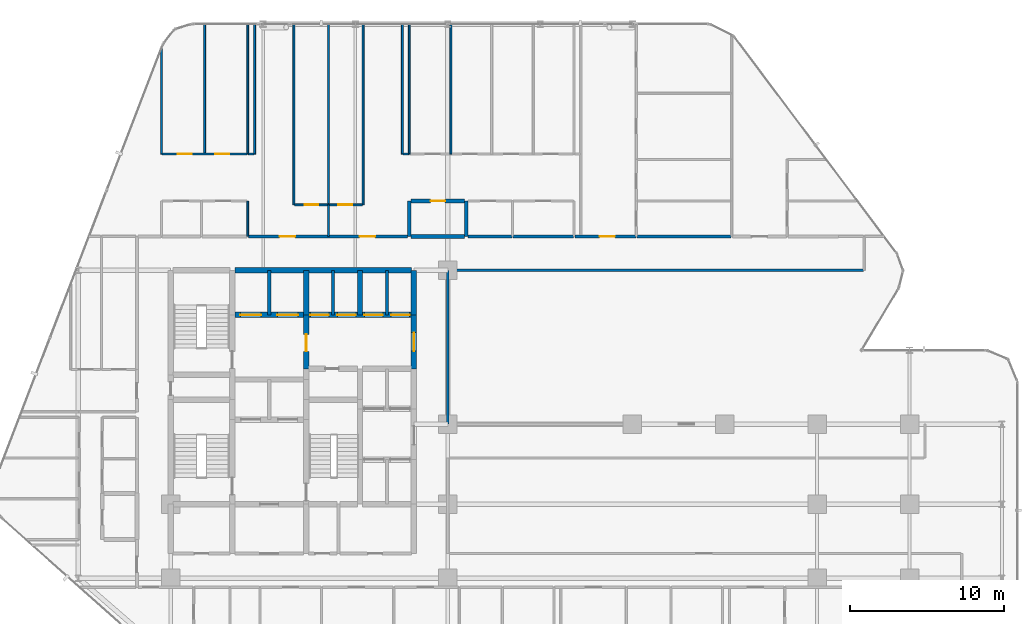
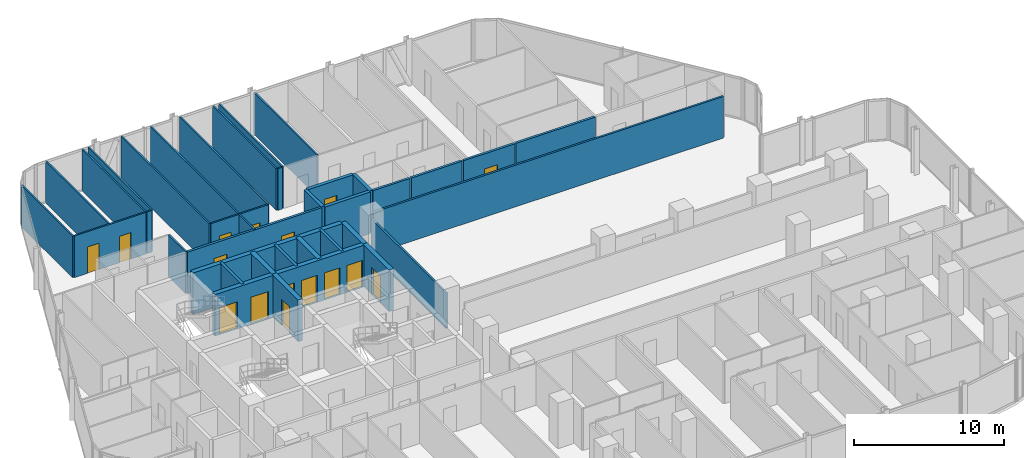
# One storey, part 30 of 34: 37 walls, 16 doors, 16 openings.
"""IFC4 building model written with IfcOpenShell, lengths in metres."""

import ifcopenshell
import ifcopenshell.guid

model = None  # the IFC model being written
_history = None  # IfcOwnerHistory: only IFC2X3 demands one
_inside = {}  # id of a spatial element -> (the spatial element, [elements in it])
_under = {}  # id of a project, library or spatial element -> (it, [spatial elements below it])
_declared = {}  # id of a project -> (the project, [libraries it declares])
_typed = {}  # id of a type object -> (the type object, [elements of that type])
_made_of = {}  # id of a material, layer set ... -> (it, [elements and type objects made of it])


def new_model(schema):
    """Start an empty IFC model of exactly this schema.

    Asked for "IFC4X3", IfcOpenShell would pick the latest addendum, in which some entities
    have other attributes; the version numbers below select the first issue.
    IFC2X3 requires an IfcOwnerHistory on every rooted entity: one is made here for all.
    """
    global model, _history
    if schema == "IFC4X3":
        model = ifcopenshell.file(schema_version=(4, 3, 0, 0))
    else:
        model = ifcopenshell.file(schema=schema)
    _inside.clear()
    _under.clear()
    _declared.clear()
    _typed.clear()
    _made_of.clear()
    _history = None
    if model.schema == "IFC2X3":
        org = make("IfcOrganization", Name="unknown")
        user = make(
            "IfcPersonAndOrganization",
            ThePerson=make("IfcPerson", FamilyName="unknown"),
            TheOrganization=org,
        )
        app = make(
            "IfcApplication",
            ApplicationDeveloper=org,
            Version="unknown",
            ApplicationFullName="unknown",
            ApplicationIdentifier="unknown",
        )
        _history = make(
            "IfcOwnerHistory",
            OwningUser=user,
            OwningApplication=app,
            ChangeAction="ADDED",
            CreationDate=0,
        )
    return model


def make(cls, **values):
    """One entity of the class cls with the attributes given. An attribute that is None is left unset."""
    return model.create_entity(
        cls, **{name: value for name, value in values.items() if value is not None}
    )


def rooted(cls, **values):
    """An entity with a GlobalId (a new one), such as an element, a storey or a relation."""
    return make(cls, GlobalId=ifcopenshell.guid.new(), OwnerHistory=_history, **values)


def si_unit(unit_type, name, prefix=None):
    """IfcSIUnit, for example si_unit("LENGTHUNIT", "METRE", prefix="MILLI")."""
    return make("IfcSIUnit", UnitType=unit_type, Prefix=prefix, Name=name)


def assignment(units):
    """IfcUnitAssignment: the units of a project."""
    return None if units is None else make("IfcUnitAssignment", Units=units)


def point(xyz):
    """IfcCartesianPoint."""
    return None if xyz is None else make("IfcCartesianPoint", Coordinates=xyz)


def direction(xyz):
    """IfcDirection."""
    return None if xyz is None else make("IfcDirection", DirectionRatios=xyz)


def frame(location, z_axis=None, x_axis=None):
    """IfcAxis2Placement3D, a coordinate frame: its origin and axes. An axis left out is left unset."""
    return make(
        "IfcAxis2Placement3D",
        Location=point(location),
        Axis=direction(z_axis),
        RefDirection=direction(x_axis),
    )


def frame_2d(location, x_axis=None):
    """IfcAxis2Placement2D, a coordinate frame in the plane: its origin and x axis."""
    return make(
        "IfcAxis2Placement2D", Location=point(location), RefDirection=direction(x_axis)
    )


def origin():
    """The frame at (0, 0, 0) with its axes left unset."""
    return frame((0.0, 0.0, 0.0))


def place(relative_to, where):
    """IfcLocalPlacement: puts the frame where relative to a parent placement (None: the world)."""
    return make(
        "IfcLocalPlacement", PlacementRelTo=relative_to, RelativePlacement=where
    )


def context(
    kind, dimensions, precision=None, world=None, true_north=None, identifier=None
):
    """IfcGeometricRepresentationContext, for example the 3D "Model" context."""
    return make(
        "IfcGeometricRepresentationContext",
        ContextIdentifier=identifier,
        ContextType=kind,
        CoordinateSpaceDimension=dimensions,
        Precision=precision,
        WorldCoordinateSystem=world,
        TrueNorth=true_north,
    )


def subcontext(parent, identifier, kind, view, scale=None):
    """IfcGeometricRepresentationSubContext, for example "Body" below "Model"."""
    return make(
        "IfcGeometricRepresentationSubContext",
        ContextIdentifier=identifier,
        ContextType=kind,
        ParentContext=parent,
        TargetScale=scale,
        TargetView=view,
    )


def project(units=None, contexts=None):
    """IfcProject with its units and contexts."""
    return rooted(
        "IfcProject",
        Name="project",
        RepresentationContexts=contexts,
        UnitsInContext=assignment(units),
    )


def spatial(cls, under=None, at=None, **own):
    """A site, building, storey or space (cls), placed at a placement, below another one or the project."""
    s = rooted(cls, ObjectPlacement=at, **own)
    if under is not None:
        _under.setdefault(under.id(), (under, []))[1].append(s)
    return s


def profile(cls, at=None, kind="AREA", **sizes):
    """A parametric profile (cls). Its sizes go by their IFC names, for example OverallWidth=200.0."""
    return make(cls, ProfileType=kind, Position=at, **sizes)


def rectangle(**sizes):
    """IfcRectangleProfileDef."""
    return profile("IfcRectangleProfileDef", **sizes)


def extrude(swept, where, along, depth):
    """IfcExtrudedAreaSolid: the profile swept, set in the frame where, extruded along a direction by depth."""
    return make(
        "IfcExtrudedAreaSolid",
        SweptArea=swept,
        Position=where,
        ExtrudedDirection=direction(along),
        Depth=depth,
    )


def shape(context_of_items, identifier, shape_type, items):
    """IfcShapeRepresentation: the items that make up one representation, for example the "Body"."""
    return make(
        "IfcShapeRepresentation",
        ContextOfItems=context_of_items,
        RepresentationIdentifier=identifier,
        RepresentationType=shape_type,
        Items=items,
    )


def material(Name=None, Category=None):
    """IfcMaterial."""
    return make("IfcMaterial", Name=Name, Category=Category)


def layer(
    of_material, thickness, ventilated=None, Name=None, Category=None, Priority=None
):
    """IfcMaterialLayer: one layer of a wall or slab, of a material (None: an air gap)."""
    return make(
        "IfcMaterialLayer",
        Material=of_material,
        LayerThickness=thickness,
        IsVentilated=ventilated,
        Name=Name,
        Category=Category,
        Priority=Priority,
    )


def layer_set(layers, Name=None):
    """IfcMaterialLayerSet."""
    return make("IfcMaterialLayerSet", MaterialLayers=layers, LayerSetName=Name)


def made_of(thing, what):
    """Note that an element or type object is made of a material, layer set ...; save() writes the relation."""
    if what is not None:
        _made_of.setdefault(what.id(), (what, []))[1].append(thing)
    return thing


def type_object(cls, material=None, **own):
    """A type object (cls), such as IfcWallType, which elements share."""
    return made_of(rooted(cls, **own), material)


def element(
    cls,
    number,
    at=None,
    inside=None,
    cuts=None,
    type_object=None,
    material=None,
    context=None,
    identifier="Body",
    shape_type=None,
    held_by="IfcProductDefinitionShape",
    body=None,
    shapes=None,
    **own,
):
    """One element of the class cls, such as IfcWall. Its Tag is "e" and its number.

    at: its placement. inside: the storey or other place that contains it. cuts: it is an
    opening in that element (IfcRelVoidsElement). A single representation is given by context,
    identifier, shape_type and body (its items); several are given by shapes. held_by: the class
    of the entity that holds the representations. save() writes the other relations.
    """
    e = rooted(cls, Tag="e%d" % number, ObjectPlacement=at, **own)
    if body is not None:
        shapes = [shape(context, identifier, shape_type, body)]
    if shapes is not None:
        e.Representation = make(held_by, Representations=shapes)
    if inside is not None:
        _inside.setdefault(inside.id(), (inside, []))[1].append(e)
    if cuts is not None:
        rooted(
            "IfcRelVoidsElement", RelatingBuildingElement=cuts, RelatedOpeningElement=e
        )
    if type_object is not None:
        _typed.setdefault(type_object.id(), (type_object, []))[1].append(e)
    return made_of(e, material)


def fill(opening, filler):
    """IfcRelFillsElement: the door or window that sits in an opening."""
    return rooted(
        "IfcRelFillsElement",
        RelatingOpeningElement=opening,
        RelatedBuildingElement=filler,
    )


def aggregate(whole, parts):
    """IfcRelAggregates: a whole, such as a stair, and the parts it consists of."""
    return rooted("IfcRelAggregates", RelatingObject=whole, RelatedObjects=parts)


def save(model, path):
    """Write the relations noted so far, then the file.

    IfcRelAggregates (storeys below a building ...), IfcRelContainedInSpatialStructure (elements
    in a storey), IfcRelDefinesByType, IfcRelAssociatesMaterial and IfcRelDeclares: one each for
    every whole, place, type object, material and project.
    """
    for whole, parts in _under.values():
        aggregate(whole, parts)
    for where, things in _inside.values():
        rooted(
            "IfcRelContainedInSpatialStructure",
            RelatedElements=things,
            RelatingStructure=where,
        )
    for kind, things in _typed.values():
        rooted("IfcRelDefinesByType", RelatedObjects=things, RelatingType=kind)
    for what, things in _made_of.values():
        rooted("IfcRelAssociatesMaterial", RelatedObjects=things, RelatingMaterial=what)
    for by, libraries in _declared.values():
        rooted("IfcRelDeclares", RelatingContext=by, RelatedDefinitions=libraries)
    model.write(path)


model = new_model("IFC4")

# Units and contexts
model_context = context("Model", 3, precision=1e-05, world=origin(), true_north=direction((0.0, 1.0)))
body_context = subcontext(model_context, "Body", "Model", "MODEL_VIEW")
ifc_project = project(units=[si_unit("LENGTHUNIT", "METRE"), si_unit("AREAUNIT", "SQUARE_METRE"), si_unit("VOLUMEUNIT", "CUBIC_METRE"), si_unit("PLANEANGLEUNIT", "RADIAN"), si_unit("MASSUNIT", "GRAM", prefix="KILO")], contexts=[model_context])

# Site, building, storey
site_placement = place(None, origin())
site = spatial("IfcSite", under=ifc_project, at=site_placement, CompositionType="ELEMENT")
building_placement = place(site_placement, origin())
building = spatial("IfcBuilding", under=site, at=building_placement, Name="Keshet Zoharim Tower", CompositionType="ELEMENT")
storey_placement = place(building_placement, frame((0.0, 0.0, 70.10009765625)))
storey = spatial("IfcBuildingStorey", under=building, at=storey_placement, Name="L16", CompositionType="ELEMENT", Elevation=70.10009765625)

# Walls
ifc_material_1 = material(Name="Gypsum Plasterboard", Category="gypsum")
ifc_layer_1 = layer(ifc_material_1, 0.14990234375)
ifc_layer_set_1 = layer_set([ifc_layer_1], Name="Gypsum Plasterboard")
wall_type_1 = type_object("IfcWallType", Name="WL-CLIN-150", PredefinedType="STANDARD", material=ifc_layer_set_1)
wall_1_placement = place(storey_placement, frame((33.0, 27.909912109375, 0.0), z_axis=(0.0, 0.0, 1.0), x_axis=(0.0, 1.0, 0.0)))
element("IfcWall", 1, at=wall_1_placement, inside=storey, type_object=wall_type_1, Name="L16 Interior Wall 069", PredefinedType="STANDARD", context=body_context, shape_type="SweptSolid", body=[
    extrude(rectangle(XDim=9.97998046875, YDim=0.14990234375, at=frame_2d((4.989990234375, 0.0))), origin(), (0.0, 0.0, 1.0), 2.885009765625),
])
wall_2_placement = place(storey_placement, frame((33.070068359375, 37.89990234375, 0.0), z_axis=(0.0, 0.0, 1.0), x_axis=(1.0, 0.0, 0.0)))
element("IfcWall", 2, at=wall_2_placement, inside=storey, type_object=wall_type_1, Name="L16 Interior Wall 187", PredefinedType="STANDARD", context=body_context, shape_type="SweptSolid", body=[
    extrude(rectangle(XDim=26.934814453125, YDim=0.14990234375, at=frame_2d((13.46728515625, 0.0))), origin(), (0.0, 0.0, 1.0), 3.385009765625),
])

# Wall, opening, door
ifc_material_2 = material(Name="Concrete C60/75", Category="concrete")
ifc_layer_2 = layer(ifc_material_2, 0.35009765625)
ifc_layer_set_2 = layer_set([ifc_layer_2], Name="Concrete C60/75")
wall_type_2 = type_object("IfcWallType", Name="WL-CORE-350", PredefinedType="SHEAR", material=ifc_layer_set_2)
wall_3_placement = place(storey_placement, frame((23.800048828125, 31.5, 0.0), z_axis=(0.0, 0.0, 1.0), x_axis=(0.0, 1.0, 0.0)))
wall_3 = element("IfcWall", 3, at=wall_3_placement, inside=storey, type_object=wall_type_2, Name="L16 Core Shear Wall 042", PredefinedType="SHEAR", context=body_context, shape_type="SweptSolid", body=[
    extrude(rectangle(XDim=3.5, YDim=0.35009765625, at=frame_2d((1.75, 0.0))), origin(), (0.0, 0.0, 1.0), 3.385009765625),
])
opening_1_placement = place(wall_3_placement, frame((1.126953125, 0.0, 0.0)))
opening_1 = element("IfcOpeningElement", 4, at=opening_1_placement, cuts=wall_3, Name="Opening D-F611", PredefinedType="OPENING", context=body_context, shape_type="SweptSolid", body=[
    extrude(rectangle(XDim=1.10009765625, YDim=2.14990234375, at=frame_2d((0.550048828125, 1.074951171875))), frame((0.0, 0.18505859375, 0.0), z_axis=(0.0, -1.0, 0.0), x_axis=(1.0, 0.0, 0.0)), (0.0, 0.0, 1.0), 0.3701171875),
])
ifc_material_3 = material(Name="Hardwood Timber", Category="wood")
door_type_1 = type_object("IfcDoorType", Name="DR-FD60-110", OperationType="NOTDEFINED", PredefinedType="DOOR", material=ifc_material_3)
door_1_placement = place(opening_1_placement, origin())
door_1 = element("IfcDoor", 5, at=door_1_placement, inside=storey, type_object=door_type_1, Name="L16 Firefighting Lobby Fire Door", OperationType="SINGLE_SWING_LEFT", OverallHeight=2.14990234375, OverallWidth=1.10009765625, PredefinedType="DOOR", context=body_context, shape_type="SweptSolid", body=[
    extrude(rectangle(XDim=1.10009765625, YDim=2.14990234375, at=frame_2d((0.550048828125, 1.074951171875))), frame((0.0, 0.02490234375, 0.0), z_axis=(0.0, -1.0, 0.0), x_axis=(1.0, 0.0, 0.0)), (0.0, 0.0, 1.0), 0.050048828125),
])
fill(opening_1, door_1)

# Walls
for number, where, z_axis, x_axis, name in (
    (6, (23.800048828125, 35.0, 0.0), (0.0, 0.0, 1.0), (0.0, 1.0, 0.0), "L16 Core Shear Wall 043"),
    (7, (27.300048828125, 35.0, 0.0), (0.0, 0.0, 1.0), (0.0, 1.0, 0.0), "L16 Core Shear Wall 053"),
):
    element("IfcWall", number, at=place(storey_placement, frame(where, z_axis=z_axis, x_axis=x_axis)), inside=storey, type_object=wall_type_2, Name=name, PredefinedType="SHEAR", context=body_context, shape_type="SweptSolid", body=[
        extrude(rectangle(XDim=2.89990234375, YDim=0.35009765625, at=frame_2d((1.449951171875, 0.0))), origin(), (0.0, 0.0, 1.0), 3.385009765625),
    ])

# Wall, opening, door
wall_4_placement = place(storey_placement, frame((30.800048828125, 31.5, 0.0), z_axis=(0.0, 0.0, 1.0), x_axis=(0.0, 1.0, 0.0)))
wall_4 = element("IfcWall", 8, at=wall_4_placement, inside=storey, type_object=wall_type_2, Name="L16 Core Shear Wall 066", PredefinedType="SHEAR", context=body_context, shape_type="SweptSolid", body=[
    extrude(rectangle(XDim=3.5, YDim=0.35009765625, at=frame_2d((1.75, 0.0))), origin(), (0.0, 0.0, 1.0), 3.385009765625),
])
opening_2_placement = place(wall_4_placement, frame((1.14990234375, 0.0, 0.0)))
opening_2 = element("IfcOpeningElement", 9, at=opening_2_placement, cuts=wall_4, Name="Opening D-F612", PredefinedType="OPENING", context=body_context, shape_type="SweptSolid", body=[
    extrude(rectangle(XDim=1.199951171875, YDim=2.199951171875, at=frame_2d((0.60009765625, 1.10009765625))), frame((0.0, 0.18505859375, 0.0), z_axis=(0.0, -1.0, 0.0), x_axis=(1.0, 0.0, 0.0)), (0.0, 0.0, 1.0), 0.3701171875),
])
door_type_2 = type_object("IfcDoorType", Name="DR-FD60-120", OperationType="NOTDEFINED", PredefinedType="DOOR", material=ifc_material_3)
door_2_placement = place(opening_2_placement, origin())
door_2 = element("IfcDoor", 10, at=door_2_placement, inside=storey, type_object=door_type_2, Name="L16 North Lift Lobby East Fire Door", OperationType="SINGLE_SWING_LEFT", OverallHeight=2.199951171875, OverallWidth=1.199951171875, PredefinedType="DOOR", context=body_context, shape_type="SweptSolid", body=[
    extrude(rectangle(XDim=1.199951171875, YDim=2.199951171875, at=frame_2d((0.60009765625, 1.10009765625))), frame((0.0, 0.02490234375, 0.0), z_axis=(0.0, -1.0, 0.0), x_axis=(1.0, 0.0, 0.0)), (0.0, 0.0, 1.0), 0.050048828125),
])
fill(opening_2, door_2)

# Wall
wall_5_placement = place(storey_placement, frame((30.800048828125, 35.0, 0.0), z_axis=(0.0, 0.0, 1.0), x_axis=(0.0, 1.0, 0.0)))
element("IfcWall", 11, at=wall_5_placement, inside=storey, type_object=wall_type_2, Name="L16 Core Shear Wall 067", PredefinedType="SHEAR", context=body_context, shape_type="SweptSolid", body=[
    extrude(rectangle(XDim=2.89990234375, YDim=0.35009765625, at=frame_2d((1.449951171875, 0.0))), origin(), (0.0, 0.0, 1.0), 3.385009765625),
])

# Wall, openings, doors
wall_6_placement = place(storey_placement, frame((19.159912109375, 35.0, 0.0), z_axis=(0.0, 0.0, 1.0), x_axis=(1.0, 0.0, 0.0)))
wall_6 = element("IfcWall", 12, at=wall_6_placement, inside=storey, type_object=wall_type_2, Name="L16 Core Shear Wall 184", PredefinedType="SHEAR", context=body_context, shape_type="SweptSolid", body=[
    extrude(rectangle(XDim=11.47998046875, YDim=0.35009765625, at=frame_2d((5.739990234375, 0.0))), origin(), (0.0, 0.0, 1.0), 3.385009765625),
])
opening_3_placement = place(wall_6_placement, frame((0.364990234375, 0.0, 0.0)))
opening_3 = element("IfcOpeningElement", 13, at=opening_3_placement, cuts=wall_6, Name="Opening LD-02", PredefinedType="OPENING", context=body_context, shape_type="SweptSolid", body=[
    extrude(rectangle(XDim=1.35009765625, YDim=2.199951171875, at=frame_2d((0.675048828125, 1.10009765625))), frame((0.0, 0.18505859375, 0.0), z_axis=(0.0, -1.0, 0.0), x_axis=(1.0, 0.0, 0.0)), (0.0, 0.0, 1.0), 0.3701171875),
])
opening_4_placement = place(wall_6_placement, frame((2.764892578125, 0.0, 0.0)))
opening_4 = element("IfcOpeningElement", 14, at=opening_4_placement, cuts=wall_6, Name="Opening LD-02", PredefinedType="OPENING", context=body_context, shape_type="SweptSolid", body=[
    extrude(rectangle(XDim=1.35009765625, YDim=2.199951171875, at=frame_2d((0.675048828125, 1.10009765625))), frame((0.0, 0.18505859375, 0.0), z_axis=(0.0, -1.0, 0.0), x_axis=(1.0, 0.0, 0.0)), (0.0, 0.0, 1.0), 0.3701171875),
])
opening_5_placement = place(wall_6_placement, frame((4.9150390625, 0.0, 0.0)))
opening_5 = element("IfcOpeningElement", 15, at=opening_5_placement, cuts=wall_6, Name="Opening LD-03", PredefinedType="OPENING", context=body_context, shape_type="SweptSolid", body=[
    extrude(rectangle(XDim=1.199951171875, YDim=2.199951171875, at=frame_2d((0.60009765625, 1.10009765625))), frame((0.0, 0.18505859375, 0.0), z_axis=(0.0, -1.0, 0.0), x_axis=(1.0, 0.0, 0.0)), (0.0, 0.0, 1.0), 0.3701171875),
])
opening_6_placement = place(wall_6_placement, frame((6.6650390625, 0.0, 0.0)))
opening_6 = element("IfcOpeningElement", 16, at=opening_6_placement, cuts=wall_6, Name="Opening LD-03", PredefinedType="OPENING", context=body_context, shape_type="SweptSolid", body=[
    extrude(rectangle(XDim=1.199951171875, YDim=2.199951171875, at=frame_2d((0.60009765625, 1.10009765625))), frame((0.0, 0.18505859375, 0.0), z_axis=(0.0, -1.0, 0.0), x_axis=(1.0, 0.0, 0.0)), (0.0, 0.0, 1.0), 0.3701171875),
])
opening_7_placement = place(wall_6_placement, frame((8.4150390625, 0.0, 0.0)))
opening_7 = element("IfcOpeningElement", 17, at=opening_7_placement, cuts=wall_6, Name="Opening LD-03", PredefinedType="OPENING", context=body_context, shape_type="SweptSolid", body=[
    extrude(rectangle(XDim=1.199951171875, YDim=2.199951171875, at=frame_2d((0.60009765625, 1.10009765625))), frame((0.0, 0.18505859375, 0.0), z_axis=(0.0, -1.0, 0.0), x_axis=(1.0, 0.0, 0.0)), (0.0, 0.0, 1.0), 0.3701171875),
])
opening_8_placement = place(wall_6_placement, frame((10.159912109375, 0.0, 0.0)))
opening_8 = element("IfcOpeningElement", 18, at=opening_8_placement, cuts=wall_6, Name="Opening LD-03", PredefinedType="OPENING", context=body_context, shape_type="SweptSolid", body=[
    extrude(rectangle(XDim=1.199951171875, YDim=2.199951171875, at=frame_2d((0.60009765625, 1.10009765625))), frame((0.0, 0.18505859375, 0.0), z_axis=(0.0, -1.0, 0.0), x_axis=(1.0, 0.0, 0.0)), (0.0, 0.0, 1.0), 0.3701171875),
])
ifc_material_4 = material(Name="Steel S355", Category="steel")
door_type_3 = type_object("IfcDoorType", Name="DR-LD02-135", OperationType="DOUBLE_DOOR_SLIDING", PredefinedType="DOOR", material=ifc_material_4)
door_3_placement = place(opening_3_placement, origin())
door_3 = element("IfcDoor", 19, at=door_3_placement, inside=storey, type_object=door_type_3, Name="L16 Firefighting Lift Landing Door FF-01", OperationType="DOUBLE_DOOR_SLIDING", OverallHeight=2.199951171875, OverallWidth=1.35009765625, PredefinedType="DOOR", context=body_context, shape_type="SweptSolid", body=[
    extrude(rectangle(XDim=1.35009765625, YDim=2.199951171875, at=frame_2d((0.675048828125, 1.10009765625))), frame((0.0, 0.02490234375, 0.0), z_axis=(0.0, -1.0, 0.0), x_axis=(1.0, 0.0, 0.0)), (0.0, 0.0, 1.0), 0.050048828125),
])
fill(opening_3, door_3)
door_4_placement = place(opening_4_placement, origin())
door_4 = element("IfcDoor", 20, at=door_4_placement, inside=storey, type_object=door_type_3, Name="L16 Firefighting Lift Landing Door FF-02", OperationType="DOUBLE_DOOR_SLIDING", OverallHeight=2.199951171875, OverallWidth=1.35009765625, PredefinedType="DOOR", context=body_context, shape_type="SweptSolid", body=[
    extrude(rectangle(XDim=1.35009765625, YDim=2.199951171875, at=frame_2d((0.675048828125, 1.10009765625))), frame((0.0, 0.02490234375, 0.0), z_axis=(0.0, -1.0, 0.0), x_axis=(1.0, 0.0, 0.0)), (0.0, 0.0, 1.0), 0.050048828125),
])
fill(opening_4, door_4)
door_type_4 = type_object("IfcDoorType", Name="DR-LD03-120", OperationType="DOUBLE_DOOR_SLIDING", PredefinedType="DOOR", material=ifc_material_4)
door_5_placement = place(opening_5_placement, origin())
door_5 = element("IfcDoor", 21, at=door_5_placement, inside=storey, type_object=door_type_4, Name="L16 Passenger Lift Landing Door LF-01", OperationType="DOUBLE_DOOR_SLIDING", OverallHeight=2.199951171875, OverallWidth=1.199951171875, PredefinedType="DOOR", context=body_context, shape_type="SweptSolid", body=[
    extrude(rectangle(XDim=1.199951171875, YDim=2.199951171875, at=frame_2d((0.60009765625, 1.10009765625))), frame((0.0, 0.02490234375, 0.0), z_axis=(0.0, -1.0, 0.0), x_axis=(1.0, 0.0, 0.0)), (0.0, 0.0, 1.0), 0.050048828125),
])
fill(opening_5, door_5)
door_6_placement = place(opening_6_placement, origin())
door_6 = element("IfcDoor", 22, at=door_6_placement, inside=storey, type_object=door_type_4, Name="L16 Passenger Lift Landing Door LF-02", OperationType="DOUBLE_DOOR_SLIDING", OverallHeight=2.199951171875, OverallWidth=1.199951171875, PredefinedType="DOOR", context=body_context, shape_type="SweptSolid", body=[
    extrude(rectangle(XDim=1.199951171875, YDim=2.199951171875, at=frame_2d((0.60009765625, 1.10009765625))), frame((0.0, 0.02490234375, 0.0), z_axis=(0.0, -1.0, 0.0), x_axis=(1.0, 0.0, 0.0)), (0.0, 0.0, 1.0), 0.050048828125),
])
fill(opening_6, door_6)
door_7_placement = place(opening_7_placement, origin())
door_7 = element("IfcDoor", 23, at=door_7_placement, inside=storey, type_object=door_type_4, Name="L16 Passenger Lift Landing Door LF-03", OperationType="DOUBLE_DOOR_SLIDING", OverallHeight=2.199951171875, OverallWidth=1.199951171875, PredefinedType="DOOR", context=body_context, shape_type="SweptSolid", body=[
    extrude(rectangle(XDim=1.199951171875, YDim=2.199951171875, at=frame_2d((0.60009765625, 1.10009765625))), frame((0.0, 0.02490234375, 0.0), z_axis=(0.0, -1.0, 0.0), x_axis=(1.0, 0.0, 0.0)), (0.0, 0.0, 1.0), 0.050048828125),
])
fill(opening_7, door_7)
door_8_placement = place(opening_8_placement, origin())
door_8 = element("IfcDoor", 24, at=door_8_placement, inside=storey, type_object=door_type_4, Name="L16 Passenger Lift Landing Door LF-04", OperationType="DOUBLE_DOOR_SLIDING", OverallHeight=2.199951171875, OverallWidth=1.199951171875, PredefinedType="DOOR", context=body_context, shape_type="SweptSolid", body=[
    extrude(rectangle(XDim=1.199951171875, YDim=2.199951171875, at=frame_2d((0.60009765625, 1.10009765625))), frame((0.0, 0.02490234375, 0.0), z_axis=(0.0, -1.0, 0.0), x_axis=(1.0, 0.0, 0.0)), (0.0, 0.0, 1.0), 0.050048828125),
])
fill(opening_8, door_8)

# Wall
wall_7_placement = place(storey_placement, frame((19.159912109375, 37.89990234375, 0.0), z_axis=(0.0, 0.0, 1.0), x_axis=(1.0, 0.0, 0.0)))
element("IfcWall", 25, at=wall_7_placement, inside=storey, type_object=wall_type_2, Name="L16 Core Shear Wall 186", PredefinedType="SHEAR", context=body_context, shape_type="SweptSolid", body=[
    extrude(rectangle(XDim=11.47998046875, YDim=0.35009765625, at=frame_2d((5.739990234375, 0.0))), origin(), (0.0, 0.0, 1.0), 3.385009765625),
])

# Wall, openings, doors
ifc_layer_3 = layer(ifc_material_1, 0.179931640625)
ifc_layer_set_3 = layer_set([ifc_layer_3], Name="Gypsum Plasterboard")
wall_type_3 = type_object("IfcWallType", Name="WL-CORR-180", PredefinedType="STANDARD", material=ifc_layer_set_3)
wall_8_placement = place(storey_placement, frame((20.044921875, 40.10009765625, 0.0), z_axis=(0.0, 0.0, 1.0), x_axis=(1.0, 0.0, 0.0)))
wall_8 = element("IfcWall", 26, at=wall_8_placement, inside=storey, type_object=wall_type_3, Name="L16 Interior Wall 193", PredefinedType="STANDARD", context=body_context, shape_type="SweptSolid", body=[
    extrude(rectangle(XDim=10.344970703125, YDim=0.179931640625, at=frame_2d((5.17236328125, 0.0))), origin(), (0.0, 0.0, 1.0), 3.385009765625),
])
opening_9_placement = place(wall_8_placement, frame((2.034912109375, 0.0, 0.0)))
opening_9 = element("IfcOpeningElement", 27, at=opening_9_placement, cuts=wall_8, Name="Opening D-F310", PredefinedType="OPENING", context=body_context, shape_type="SweptSolid", body=[
    extrude(rectangle(XDim=1.0, YDim=2.14990234375, at=frame_2d((0.5, 1.074951171875))), frame((0.0, 0.10009765625, 0.0), z_axis=(0.0, -1.0, 0.0), x_axis=(1.0, 0.0, 0.0)), (0.0, 0.0, 1.0), 0.199951171875),
])
opening_10_placement = place(wall_8_placement, frame((7.235107421875, 0.0, 0.0)))
opening_10 = element("IfcOpeningElement", 28, at=opening_10_placement, cuts=wall_8, Name="Opening D-F310", PredefinedType="OPENING", context=body_context, shape_type="SweptSolid", body=[
    extrude(rectangle(XDim=1.0, YDim=2.14990234375, at=frame_2d((0.5, 1.074951171875))), frame((0.0, 0.10009765625, 0.0), z_axis=(0.0, -1.0, 0.0), x_axis=(1.0, 0.0, 0.0)), (0.0, 0.0, 1.0), 0.199951171875),
])
door_type_5 = type_object("IfcDoorType", Name="DR-FD30-100", OperationType="NOTDEFINED", PredefinedType="DOOR", material=ifc_material_3)
door_9_placement = place(opening_9_placement, origin())
door_9 = element("IfcDoor", 29, at=door_9_placement, inside=storey, type_object=door_type_5, Name="Apartment 1606 Entrance Door", OperationType="SINGLE_SWING_RIGHT", OverallHeight=2.14990234375, OverallWidth=1.0, PredefinedType="DOOR", context=body_context, shape_type="SweptSolid", body=[
    extrude(rectangle(XDim=1.0, YDim=2.14990234375, at=frame_2d((0.5, 1.074951171875))), frame((0.0, 0.02490234375, 0.0), z_axis=(0.0, -1.0, 0.0), x_axis=(1.0, 0.0, 0.0)), (0.0, 0.0, 1.0), 0.050048828125),
])
fill(opening_9, door_9)
door_10_placement = place(opening_10_placement, origin())
door_10 = element("IfcDoor", 30, at=door_10_placement, inside=storey, type_object=door_type_5, Name="Apartment 1607 Entrance Door", OperationType="SINGLE_SWING_LEFT", OverallHeight=2.14990234375, OverallWidth=1.0, PredefinedType="DOOR", context=body_context, shape_type="SweptSolid", body=[
    extrude(rectangle(XDim=1.0, YDim=2.14990234375, at=frame_2d((0.5, 1.074951171875))), frame((0.0, 0.02490234375, 0.0), z_axis=(0.0, -1.0, 0.0), x_axis=(1.0, 0.0, 0.0)), (0.0, 0.0, 1.0), 0.050048828125),
])
fill(opening_10, door_10)

# Walls
wall_9_placement = place(storey_placement, frame((34.31591796875, 40.10009765625, 0.0), z_axis=(0.0, 0.0, 1.0), x_axis=(1.0, 0.0, 0.0)))
element("IfcWall", 31, at=wall_9_placement, inside=storey, type_object=wall_type_3, Name="L16 Interior Wall 195", PredefinedType="STANDARD", context=body_context, shape_type="SweptSolid", body=[
    extrude(rectangle(XDim=2.843994140625, YDim=0.179931640625, at=frame_2d((1.421875, 0.0))), origin(), (0.0, 0.0, 1.0), 3.385009765625),
])
wall_10_placement = place(storey_placement, frame((37.25, 40.10009765625, 0.0), z_axis=(0.0, 0.0, 1.0), x_axis=(1.0, 0.0, 0.0)))
element("IfcWall", 32, at=wall_10_placement, inside=storey, type_object=wall_type_3, Name="L16 Interior Wall 196", PredefinedType="STANDARD", context=body_context, shape_type="SweptSolid", body=[
    extrude(rectangle(XDim=3.9150390625, YDim=0.179931640625, at=frame_2d((1.95751953125, 0.0))), origin(), (0.0, 0.0, 1.0), 3.385009765625),
])

# Wall, opening, door
wall_11_placement = place(storey_placement, frame((41.2548828125, 40.10009765625, 0.0), z_axis=(0.0, 0.0, 1.0), x_axis=(1.0, 0.0, 0.0)))
wall_11 = element("IfcWall", 33, at=wall_11_placement, inside=storey, type_object=wall_type_3, Name="L16 Interior Wall 197", PredefinedType="STANDARD", context=body_context, shape_type="SweptSolid", body=[
    extrude(rectangle(XDim=3.960205078125, YDim=0.179931640625, at=frame_2d((1.97998046875, 0.0))), origin(), (0.0, 0.0, 1.0), 3.385009765625),
])
opening_11_placement = place(wall_11_placement, frame((1.60888671875, 0.0, 0.0)))
opening_11 = element("IfcOpeningElement", 34, at=opening_11_placement, cuts=wall_11, Name="Opening D-F310", PredefinedType="OPENING", context=body_context, shape_type="SweptSolid", body=[
    extrude(rectangle(XDim=1.0, YDim=2.14990234375, at=frame_2d((0.5, 1.074951171875))), frame((0.0, 0.10009765625, 0.0), z_axis=(0.0, -1.0, 0.0), x_axis=(1.0, 0.0, 0.0)), (0.0, 0.0, 1.0), 0.199951171875),
])
door_11_placement = place(opening_11_placement, origin())
door_11 = element("IfcDoor", 35, at=door_11_placement, inside=storey, type_object=door_type_5, Name="Apartment 1608 Entrance Door", OperationType="SINGLE_SWING_RIGHT", OverallHeight=2.14990234375, OverallWidth=1.0, PredefinedType="DOOR", context=body_context, shape_type="SweptSolid", body=[
    extrude(rectangle(XDim=1.0, YDim=2.14990234375, at=frame_2d((0.5, 1.074951171875))), frame((0.0, 0.02490234375, 0.0), z_axis=(0.0, -1.0, 0.0), x_axis=(1.0, 0.0, 0.0)), (0.0, 0.0, 1.0), 0.050048828125),
])
fill(opening_11, door_11)

# Walls
wall_12_placement = place(storey_placement, frame((45.304931640625, 40.10009765625, 0.0), z_axis=(0.0, 0.0, 1.0), x_axis=(1.0, 0.0, 0.0)))
element("IfcWall", 36, at=wall_12_placement, inside=storey, type_object=wall_type_3, Name="L16 Interior Wall 198", PredefinedType="STANDARD", context=body_context, shape_type="SweptSolid", body=[
    extrude(rectangle(XDim=6.10009765625, YDim=0.179931640625, at=frame_2d((3.050048828125, 0.0))), origin(), (0.0, 0.0, 1.0), 3.385009765625),
])
ifc_material_5 = material(Name="Concrete C50/60", Category="concrete")
ifc_layer_4 = layer(ifc_material_5, 0.199951171875)
ifc_layer_set_4 = layer_set([ifc_layer_4], Name="Concrete C50/60")
wall_type_4 = type_object("IfcWallType", Name="WL-FIRE-200", PredefinedType="STANDARD", material=ifc_layer_set_4)
for number, where, z_axis, x_axis, name in (
    (37, (21.39990234375, 35.0, 0.0), (0.0, 0.0, 1.0), (0.0, 1.0, 0.0), "L16 Interior Wall 035"),
    (38, (25.550048828125, 35.0, 0.0), (0.0, 0.0, 1.0), (0.0, 1.0, 0.0), "L16 Interior Wall 047"),
    (39, (29.050048828125, 35.0, 0.0), (0.0, 0.0, 1.0), (0.0, 1.0, 0.0), "L16 Interior Wall 057"),
):
    element("IfcWall", number, at=place(storey_placement, frame(where, z_axis=z_axis, x_axis=x_axis)), inside=storey, type_object=wall_type_4, Name=name, PredefinedType="STANDARD", context=body_context, shape_type="SweptSolid", body=[
        extrude(rectangle(XDim=2.89990234375, YDim=0.199951171875, at=frame_2d((1.449951171875, 0.0))), origin(), (0.0, 0.0, 1.0), 3.385009765625),
    ])
ifc_layer_5 = layer(ifc_material_5, 0.25)
ifc_layer_set_5 = layer_set([ifc_layer_5], Name="Concrete C50/60")
wall_type_5 = type_object("IfcWallType", Name="WL-MAMAD-250", PredefinedType="STANDARD", material=ifc_layer_set_5)
for number, where, z_axis, x_axis, name in (
    (40, (30.5, 40.10009765625, 0.0), (0.0, 0.0, 1.0), (0.0, 1.0, 0.0), "L16 Interior Wall 060"),
    (41, (34.199951171875, 40.10009765625, 0.0), (0.0, 0.0, 1.0), (0.0, 1.0, 0.0), "L16 Interior Wall 074"),
):
    element("IfcWall", number, at=place(storey_placement, frame(where, z_axis=z_axis, x_axis=x_axis)), inside=storey, type_object=wall_type_5, Name=name, PredefinedType="STANDARD", context=body_context, shape_type="SweptSolid", body=[
        extrude(rectangle(XDim=2.2998046875, YDim=0.25, at=frame_2d((1.14990234375, 0.0))), origin(), (0.0, 0.0, 1.0), 3.385009765625),
    ])
wall_13_placement = place(storey_placement, frame((30.610107421875, 40.10009765625, 0.0), z_axis=(0.0, 0.0, 1.0), x_axis=(1.0, 0.0, 0.0)))
element("IfcWall", 42, at=wall_13_placement, inside=storey, type_object=wall_type_5, Name="L16 Interior Wall 194", PredefinedType="STANDARD", context=body_context, shape_type="SweptSolid", body=[
    extrude(rectangle(XDim=3.48583984375, YDim=0.25, at=frame_2d((1.742919921875, 0.0))), origin(), (0.0, 0.0, 1.0), 3.385009765625),
])

# Wall, opening, door
wall_14_placement = place(storey_placement, frame((30.610107421875, 42.39990234375, 0.0), z_axis=(0.0, 0.0, 1.0), x_axis=(1.0, 0.0, 0.0)))
wall_14 = element("IfcWall", 43, at=wall_14_placement, inside=storey, type_object=wall_type_5, Name="L16 Interior Wall 206", PredefinedType="STANDARD", context=body_context, shape_type="SweptSolid", body=[
    extrude(rectangle(XDim=3.48583984375, YDim=0.25, at=frame_2d((1.742919921875, 0.0))), origin(), (0.0, 0.0, 1.0), 3.385009765625),
])
opening_12_placement = place(wall_14_placement, frame((1.26806640625, 0.0, 0.0)))
opening_12 = element("IfcOpeningElement", 44, at=opening_12_placement, cuts=wall_14, Name="Opening D-F695", PredefinedType="OPENING", context=body_context, shape_type="SweptSolid", body=[
    extrude(rectangle(XDim=0.949951171875, YDim=2.14990234375, at=frame_2d((0.47509765625, 1.074951171875))), frame((0.0, 0.135009765625, 0.0), z_axis=(0.0, -1.0, 0.0), x_axis=(1.0, 0.0, 0.0)), (0.0, 0.0, 1.0), 0.27001953125),
])
door_type_6 = type_object("IfcDoorType", Name="DR-FD60-095", OperationType="NOTDEFINED", PredefinedType="DOOR", material=ifc_material_3)
door_12_placement = place(opening_12_placement, origin())
door_12 = element("IfcDoor", 45, at=door_12_placement, inside=storey, type_object=door_type_6, Name="Apartment 1607 Study and Shelter Room Door", OperationType="SINGLE_SWING_RIGHT", OverallHeight=2.14990234375, OverallWidth=0.949951171875, PredefinedType="DOOR", context=body_context, shape_type="SweptSolid", body=[
    extrude(rectangle(XDim=0.949951171875, YDim=2.14990234375, at=frame_2d((0.47509765625, 1.074951171875))), frame((0.0, 0.02490234375, 0.0), z_axis=(0.0, -1.0, 0.0), x_axis=(1.0, 0.0, 0.0)), (0.0, 0.0, 1.0), 0.050048828125),
])
fill(opening_12, door_12)

# Walls
ifc_layer_6 = layer(ifc_material_1, 0.1201171875)
ifc_layer_set_6 = layer_set([ifc_layer_6], Name="Gypsum Plasterboard")
wall_type_6 = type_object("IfcWallType", Name="WL-PART-120", PredefinedType="PARTITIONING", material=ifc_layer_set_6)
wall_15_placement = place(storey_placement, frame((14.39990234375, 45.449951171875, 0.0), z_axis=(0.0, 0.0, 1.0), x_axis=(0.0, 1.0, 0.0)))
element("IfcWall", 46, at=wall_15_placement, inside=storey, type_object=wall_type_6, Name="L16 Interior Wall 014", PredefinedType="PARTITIONING", context=body_context, shape_type="SweptSolid", body=[
    extrude(rectangle(XDim=6.880126953125, YDim=0.1201171875, at=frame_2d((3.43994140625, 0.0))), origin(), (0.0, 0.0, 1.0), 3.385009765625),
])
for number, where, z_axis, x_axis, name in (
    (47, (17.199951171875, 45.449951171875, 0.0), (0.0, 0.0, 1.0), (0.0, 1.0, 0.0), "L16 Interior Wall 022"),
    (48, (20.0, 45.449951171875, 0.0), (0.0, 0.0, 1.0), (0.0, 1.0, 0.0), "L16 Interior Wall 031"),
    (49, (20.449951171875, 45.449951171875, 0.0), (0.0, 0.0, 1.0), (0.0, 1.0, 0.0), "L16 Interior Wall 032"),
):
    element("IfcWall", number, at=place(storey_placement, frame(where, z_axis=z_axis, x_axis=x_axis)), inside=storey, type_object=wall_type_6, Name=name, PredefinedType="PARTITIONING", context=body_context, shape_type="SweptSolid", body=[
        extrude(rectangle(XDim=8.43994140625, YDim=0.1201171875, at=frame_2d((4.219970703125, 0.0))), origin(), (0.0, 0.0, 1.0), 3.385009765625),
    ])
wall_16_placement = place(storey_placement, frame((23.0, 42.14990234375, 0.0), z_axis=(0.0, 0.0, 1.0), x_axis=(0.0, 1.0, 0.0)))
element("IfcWall", 50, at=wall_16_placement, inside=storey, type_object=wall_type_6, Name="L16 Interior Wall 036", PredefinedType="PARTITIONING", context=body_context, shape_type="SweptSolid", body=[
    extrude(rectangle(XDim=11.739990234375, YDim=0.1201171875, at=frame_2d((5.8701171875, 0.0))), origin(), (0.0, 0.0, 1.0), 3.385009765625),
])
wall_17_placement = place(storey_placement, frame((25.25, 40.10009765625, 0.0), z_axis=(0.0, 0.0, 1.0), x_axis=(0.0, 1.0, 0.0)))
element("IfcWall", 51, at=wall_17_placement, inside=storey, type_object=wall_type_6, Name="L16 Interior Wall 045", PredefinedType="PARTITIONING", context=body_context, shape_type="SweptSolid", body=[
    extrude(rectangle(XDim=2.0498046875, YDim=0.1201171875, at=frame_2d((1.02490234375, 0.0))), origin(), (0.0, 0.0, 1.0), 3.385009765625),
])
for number, where, z_axis, x_axis, name in (
    (52, (25.25, 42.14990234375, 0.0), (0.0, 0.0, 1.0), (0.0, 1.0, 0.0), "L16 Interior Wall 046"),
    (53, (27.5, 42.14990234375, 0.0), (0.0, 0.0, 1.0), (0.0, 1.0, 0.0), "L16 Interior Wall 054"),
):
    element("IfcWall", number, at=place(storey_placement, frame(where, z_axis=z_axis, x_axis=x_axis)), inside=storey, type_object=wall_type_6, Name=name, PredefinedType="PARTITIONING", context=body_context, shape_type="SweptSolid", body=[
        extrude(rectangle(XDim=11.739990234375, YDim=0.1201171875, at=frame_2d((5.8701171875, 0.0))), origin(), (0.0, 0.0, 1.0), 3.385009765625),
    ])
for number, where, z_axis, x_axis, name in (
    (54, (30.050048828125, 45.449951171875, 0.0), (0.0, 0.0, 1.0), (0.0, 1.0, 0.0), "L16 Interior Wall 059"),
    (55, (30.5, 45.449951171875, 0.0), (0.0, 0.0, 1.0), (0.0, 1.0, 0.0), "L16 Interior Wall 061"),
    (56, (33.199951171875, 45.449951171875, 0.0), (0.0, 0.0, 1.0), (0.0, 1.0, 0.0), "L16 Interior Wall 070"),
):
    element("IfcWall", number, at=place(storey_placement, frame(where, z_axis=z_axis, x_axis=x_axis)), inside=storey, type_object=wall_type_6, Name=name, PredefinedType="PARTITIONING", context=body_context, shape_type="SweptSolid", body=[
        extrude(rectangle(XDim=8.43994140625, YDim=0.1201171875, at=frame_2d((4.219970703125, 0.0))), origin(), (0.0, 0.0, 1.0), 3.385009765625),
    ])

# Wall, openings, doors
wall_18_placement = place(storey_placement, frame((23.044921875, 42.14990234375, 0.0), z_axis=(0.0, 0.0, 1.0), x_axis=(1.0, 0.0, 0.0)))
wall_18 = element("IfcWall", 57, at=wall_18_placement, inside=storey, type_object=wall_type_6, Name="L16 Interior Wall 203", PredefinedType="PARTITIONING", context=body_context, shape_type="SweptSolid", body=[
    extrude(rectangle(XDim=4.41015625, YDim=0.1201171875, at=frame_2d((2.205078125, 0.0))), origin(), (0.0, 0.0, 1.0), 3.385009765625),
])
opening_13_placement = place(wall_18_placement, frame((0.655029296875, 0.0, 0.0)))
opening_13 = element("IfcOpeningElement", 58, at=opening_13_placement, cuts=wall_18, Name="Opening D-IN90", PredefinedType="OPENING", context=body_context, shape_type="SweptSolid", body=[
    extrude(rectangle(XDim=0.89990234375, YDim=2.14990234375, at=frame_2d((0.449951171875, 1.074951171875))), frame((0.0, 0.070068359375, 0.0), z_axis=(0.0, -1.0, 0.0), x_axis=(1.0, 0.0, 0.0)), (0.0, 0.0, 1.0), 0.14013671875),
])
opening_14_placement = place(wall_18_placement, frame((2.85498046875, 0.0, 0.0)))
opening_14 = element("IfcOpeningElement", 59, at=opening_14_placement, cuts=wall_18, Name="Opening D-IN90", PredefinedType="OPENING", context=body_context, shape_type="SweptSolid", body=[
    extrude(rectangle(XDim=0.89990234375, YDim=2.14990234375, at=frame_2d((0.449951171875, 1.074951171875))), frame((0.0, 0.070068359375, 0.0), z_axis=(0.0, -1.0, 0.0), x_axis=(1.0, 0.0, 0.0)), (0.0, 0.0, 1.0), 0.14013671875),
])
door_type_7 = type_object("IfcDoorType", Name="DR-INT-090", OperationType="NOTDEFINED", PredefinedType="DOOR", material=ifc_material_3)
door_13_placement = place(opening_13_placement, origin())
door_13 = element("IfcDoor", 60, at=door_13_placement, inside=storey, type_object=door_type_7, Name="Apartment 1606 Formal Dining Room Door", OperationType="SINGLE_SWING_RIGHT", OverallHeight=2.14990234375, OverallWidth=0.89990234375, PredefinedType="DOOR", context=body_context, shape_type="SweptSolid", body=[
    extrude(rectangle(XDim=0.89990234375, YDim=2.14990234375, at=frame_2d((0.449951171875, 1.074951171875))), frame((0.0, 0.02490234375, 0.0), z_axis=(0.0, -1.0, 0.0), x_axis=(1.0, 0.0, 0.0)), (0.0, 0.0, 1.0), 0.050048828125),
])
fill(opening_13, door_13)
door_14_placement = place(opening_14_placement, origin())
door_14 = element("IfcDoor", 61, at=door_14_placement, inside=storey, type_object=door_type_7, Name="Apartment 1607 Formal Dining Room Door", OperationType="SINGLE_SWING_LEFT", OverallHeight=2.14990234375, OverallWidth=0.89990234375, PredefinedType="DOOR", context=body_context, shape_type="SweptSolid", body=[
    extrude(rectangle(XDim=0.89990234375, YDim=2.14990234375, at=frame_2d((0.449951171875, 1.074951171875))), frame((0.0, 0.02490234375, 0.0), z_axis=(0.0, -1.0, 0.0), x_axis=(1.0, 0.0, 0.0)), (0.0, 0.0, 1.0), 0.050048828125),
])
fill(opening_14, door_14)

wall_19_placement = place(storey_placement, frame((14.445068359375, 45.449951171875, 0.0), z_axis=(0.0, 0.0, 1.0), x_axis=(1.0, 0.0, 0.0)))
wall_19 = element("IfcWall", 62, at=wall_19_placement, inside=storey, type_object=wall_type_6, Name="L16 Interior Wall 213", PredefinedType="PARTITIONING", context=body_context, shape_type="SweptSolid", body=[
    extrude(rectangle(XDim=5.510009765625, YDim=0.1201171875, at=frame_2d((2.7548828125, 0.0))), origin(), (0.0, 0.0, 1.0), 3.385009765625),
])
opening_15_placement = place(wall_19_placement, frame((1.006103515625, 0.0, 0.0)))
opening_15 = element("IfcOpeningElement", 63, at=opening_15_placement, cuts=wall_19, Name="Opening D-IN90", PredefinedType="OPENING", context=body_context, shape_type="SweptSolid", body=[
    extrude(rectangle(XDim=0.89990234375, YDim=2.14990234375, at=frame_2d((0.449951171875, 1.074951171875))), frame((0.0, 0.070068359375, 0.0), z_axis=(0.0, -1.0, 0.0), x_axis=(1.0, 0.0, 0.0)), (0.0, 0.0, 1.0), 0.14013671875),
])
opening_16_placement = place(wall_19_placement, frame((3.4560546875, 0.0, 0.0)))
opening_16 = element("IfcOpeningElement", 64, at=opening_16_placement, cuts=wall_19, Name="Opening D-IN90", PredefinedType="OPENING", context=body_context, shape_type="SweptSolid", body=[
    extrude(rectangle(XDim=0.89990234375, YDim=2.14990234375, at=frame_2d((0.449951171875, 1.074951171875))), frame((0.0, 0.070068359375, 0.0), z_axis=(0.0, -1.0, 0.0), x_axis=(1.0, 0.0, 0.0)), (0.0, 0.0, 1.0), 0.14013671875),
])
door_15_placement = place(opening_15_placement, origin())
door_15 = element("IfcDoor", 65, at=door_15_placement, inside=storey, type_object=door_type_7, Name="Apartment 1606 Bedroom 1 Door", OperationType="SINGLE_SWING_LEFT", OverallHeight=2.14990234375, OverallWidth=0.89990234375, PredefinedType="DOOR", context=body_context, shape_type="SweptSolid", body=[
    extrude(rectangle(XDim=0.89990234375, YDim=2.14990234375, at=frame_2d((0.449951171875, 1.074951171875))), frame((0.0, 0.02490234375, 0.0), z_axis=(0.0, -1.0, 0.0), x_axis=(1.0, 0.0, 0.0)), (0.0, 0.0, 1.0), 0.050048828125),
])
fill(opening_15, door_15)
door_16_placement = place(opening_16_placement, origin())
door_16 = element("IfcDoor", 66, at=door_16_placement, inside=storey, type_object=door_type_7, Name="Apartment 1606 Bedroom 2 Door", OperationType="SINGLE_SWING_RIGHT", OverallHeight=2.14990234375, OverallWidth=0.89990234375, PredefinedType="DOOR", context=body_context, shape_type="SweptSolid", body=[
    extrude(rectangle(XDim=0.89990234375, YDim=2.14990234375, at=frame_2d((0.449951171875, 1.074951171875))), frame((0.0, 0.02490234375, 0.0), z_axis=(0.0, -1.0, 0.0), x_axis=(1.0, 0.0, 0.0)), (0.0, 0.0, 1.0), 0.050048828125),
])
fill(opening_16, door_16)

# Walls
for number, where, z_axis, x_axis, name in (
    (67, (20.044921875, 45.449951171875, 0.0), (0.0, 0.0, 1.0), (1.0, 0.0, 0.0), "L16 Interior Wall 214"),
    (68, (30.094970703125, 45.449951171875, 0.0), (0.0, 0.0, 1.0), (1.0, 0.0, 0.0), "L16 Interior Wall 215"),
):
    element("IfcWall", number, at=place(storey_placement, frame(where, z_axis=z_axis, x_axis=x_axis)), inside=storey, type_object=wall_type_6, Name=name, PredefinedType="PARTITIONING", context=body_context, shape_type="SweptSolid", body=[
        extrude(rectangle(XDim=0.360107421875, YDim=0.1201171875, at=frame_2d((0.18017578125, 0.0))), origin(), (0.0, 0.0, 1.0), 3.385009765625),
    ])
ifc_layer_7 = layer(ifc_material_1, 0.1201171875)
ifc_layer_set_7 = layer_set([ifc_layer_7], Name="Gypsum Plasterboard")
wall_type_7 = type_object("IfcWallType", Name="WL-WET-120", PredefinedType="PARTITIONING", material=ifc_layer_set_7)
wall_20_placement = place(storey_placement, frame((20.0, 40.10009765625, 0.0), z_axis=(0.0, 0.0, 1.0), x_axis=(0.0, 1.0, 0.0)))
element("IfcWall", 69, at=wall_20_placement, inside=storey, type_object=wall_type_7, Name="L16 Interior Wall 030", PredefinedType="PARTITIONING", context=body_context, shape_type="SweptSolid", body=[
    extrude(rectangle(XDim=2.2998046875, YDim=0.1201171875, at=frame_2d((1.14990234375, 0.0))), origin(), (0.0, 0.0, 1.0), 3.385009765625),
])

save(model, "model.ifc")
